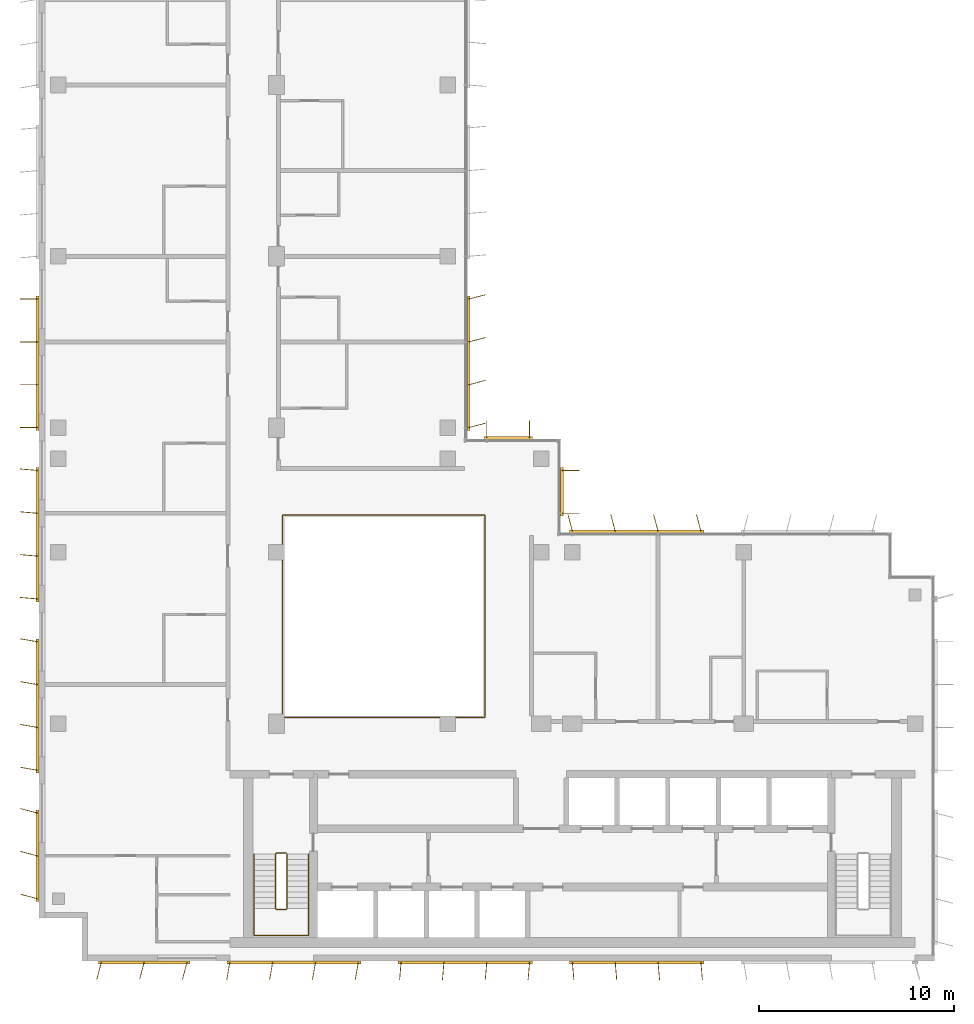
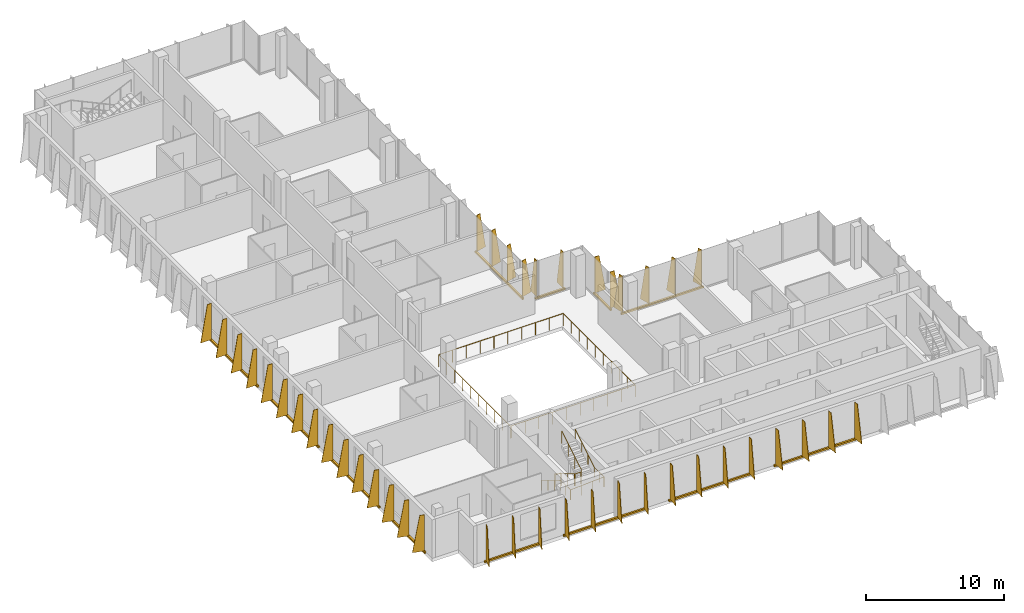
# One storey, part 13 of 15: 12 shading devices, 3 railings.
"""IFC4 building model written with IfcOpenShell, lengths in metres."""

from ifc_helpers import new_model, si_unit, direction, frame, origin, origin_2d, place, context, subcontext, project, spatial, polyline, rectangle, circle, outline, extrude, source, transform, mapped, material, layer, layer_set, type_object, element, save


model = new_model("IFC4")

# Units and contexts
model_context = context("Model", 3, precision=1e-05, world=origin(), true_north=direction((0.0, 1.0)))
body_context = subcontext(model_context, "Body", "Model", "MODEL_VIEW")
ifc_project = project(units=[si_unit("LENGTHUNIT", "METRE"), si_unit("AREAUNIT", "SQUARE_METRE"), si_unit("VOLUMEUNIT", "CUBIC_METRE"), si_unit("PLANEANGLEUNIT", "RADIAN"), si_unit("MASSUNIT", "GRAM", prefix="KILO")], contexts=[model_context])

# Site, building, storey
site_placement = place(None, origin())
site = spatial("IfcSite", under=ifc_project, at=site_placement, CompositionType="ELEMENT")
building_placement = place(site_placement, origin())
building = spatial("IfcBuilding", under=site, at=building_placement, Name="Kemantara Hotel Tower", CompositionType="ELEMENT")
storey_placement = place(building_placement, frame((0.0, 0.0, 268.5)))
storey = spatial("IfcBuildingStorey", under=building, at=storey_placement, Name="L67", CompositionType="ELEMENT", Elevation=268.5)

# Railings
ifc_material_1 = material(Name="Stainless steel and laminated glass balustrade", Category="steel")
railing_type_1 = type_object("IfcRailingType", Name="ATRIUM GUARD 1100", PredefinedType="GUARDRAIL", material=ifc_material_1)
railing_1_placement = place(storey_placement, frame((12.56005859375, 12.5, 0.0)))
element("IfcRailing", 1, at=railing_1_placement, inside=storey, type_object=railing_type_1, Name="ATRIUM GUARD L67", PredefinedType="GUARDRAIL", context=body_context, shape_type="SweptSolid", body=[
    extrude(circle(Radius=0.02490234375, at=origin_2d()), frame((0.0, 0.0, 1.0751953125), z_axis=(1.0, 0.0, 0.0), x_axis=(0.0, 1.0, 0.0)), (0.0, 0.0, 1.0), 10.33984375),
    extrude(circle(Radius=0.02490234375, at=origin_2d()), frame((10.33984375, 0.0, 1.0751953125), z_axis=(0.0, 1.0, 0.0), x_axis=(-1.0, 0.0, 0.0)), (0.0, 0.0, 1.0), 10.39990234375),
    extrude(circle(Radius=0.02490234375, at=origin_2d()), frame((10.33984375, 10.39990234375, 1.0751953125), z_axis=(-1.0, 0.0, 0.0), x_axis=(0.0, -1.0, 0.0)), (0.0, 0.0, 1.0), 10.39990234375),
    extrude(circle(Radius=0.02490234375, at=origin_2d()), frame((-0.06005859375, 10.39990234375, 1.0751953125), z_axis=(0.0, -1.0, 0.0), x_axis=(1.0, 0.0, 0.0)), (0.0, 0.0, 1.0), 10.39990234375),
    extrude(circle(Radius=0.02001953125, at=origin_2d()), origin(), (0.0, 0.0, 1.0), 1.050048828125),
    extrude(circle(Radius=0.02001953125, at=origin_2d()), frame((1.14892578125, 0.0, 0.0)), (0.0, 0.0, 1.0), 1.050048828125),
    extrude(circle(Radius=0.02001953125, at=origin_2d()), frame((2.2978515625, 0.0, 0.0)), (0.0, 0.0, 1.0), 1.050048828125),
    extrude(circle(Radius=0.02001953125, at=origin_2d()), frame((3.446533203125, 0.0, 0.0)), (0.0, 0.0, 1.0), 1.050048828125),
    extrude(circle(Radius=0.02001953125, at=origin_2d()), frame((4.595458984375, 0.0, 0.0)), (0.0, 0.0, 1.0), 1.050048828125),
    extrude(circle(Radius=0.02001953125, at=origin_2d()), frame((5.744384765625, 0.0, 0.0)), (0.0, 0.0, 1.0), 1.050048828125),
    extrude(circle(Radius=0.02001953125, at=origin_2d()), frame((6.893310546875, 0.0, 0.0)), (0.0, 0.0, 1.0), 1.050048828125),
    extrude(circle(Radius=0.02001953125, at=origin_2d()), frame((8.0419921875, 0.0, 0.0)), (0.0, 0.0, 1.0), 1.050048828125),
    extrude(circle(Radius=0.02001953125, at=origin_2d()), frame((9.19091796875, 0.0, 0.0)), (0.0, 0.0, 1.0), 1.050048828125),
    extrude(circle(Radius=0.02001953125, at=origin_2d()), frame((10.33984375, 0.0, 0.0)), (0.0, 0.0, 1.0), 1.050048828125),
    extrude(circle(Radius=0.02001953125, at=origin_2d()), frame((10.33984375, 1.155517578125, 0.0)), (0.0, 0.0, 1.0), 1.050048828125),
    extrude(circle(Radius=0.02001953125, at=origin_2d()), frame((10.33984375, 2.31103515625, 0.0)), (0.0, 0.0, 1.0), 1.050048828125),
    extrude(circle(Radius=0.02001953125, at=origin_2d()), frame((10.33984375, 3.466552734375, 0.0)), (0.0, 0.0, 1.0), 1.050048828125),
    extrude(circle(Radius=0.02001953125, at=origin_2d()), frame((10.33984375, 4.6220703125, 0.0)), (0.0, 0.0, 1.0), 1.050048828125),
    extrude(circle(Radius=0.02001953125, at=origin_2d()), frame((10.33984375, 5.77783203125, 0.0)), (0.0, 0.0, 1.0), 1.050048828125),
    extrude(circle(Radius=0.02001953125, at=origin_2d()), frame((10.33984375, 6.933349609375, 0.0)), (0.0, 0.0, 1.0), 1.050048828125),
    extrude(circle(Radius=0.02001953125, at=origin_2d()), frame((10.33984375, 8.0888671875, 0.0)), (0.0, 0.0, 1.0), 1.050048828125),
    extrude(circle(Radius=0.02001953125, at=origin_2d()), frame((10.33984375, 9.244384765625, 0.0)), (0.0, 0.0, 1.0), 1.050048828125),
    extrude(circle(Radius=0.02001953125, at=origin_2d()), frame((10.33984375, 10.39990234375, 0.0)), (0.0, 0.0, 1.0), 1.050048828125),
    extrude(circle(Radius=0.02001953125, at=origin_2d()), frame((9.184326171875, 10.39990234375, 0.0)), (0.0, 0.0, 1.0), 1.050048828125),
    extrude(circle(Radius=0.02001953125, at=origin_2d()), frame((8.02880859375, 10.39990234375, 0.0)), (0.0, 0.0, 1.0), 1.050048828125),
    extrude(circle(Radius=0.02001953125, at=origin_2d()), frame((6.873291015625, 10.39990234375, 0.0)), (0.0, 0.0, 1.0), 1.050048828125),
    extrude(circle(Radius=0.02001953125, at=origin_2d()), frame((5.7177734375, 10.39990234375, 0.0)), (0.0, 0.0, 1.0), 1.050048828125),
    extrude(circle(Radius=0.02001953125, at=origin_2d()), frame((4.56201171875, 10.39990234375, 0.0)), (0.0, 0.0, 1.0), 1.050048828125),
    extrude(circle(Radius=0.02001953125, at=origin_2d()), frame((3.406494140625, 10.39990234375, 0.0)), (0.0, 0.0, 1.0), 1.050048828125),
    extrude(circle(Radius=0.02001953125, at=origin_2d()), frame((2.2509765625, 10.39990234375, 0.0)), (0.0, 0.0, 1.0), 1.050048828125),
    extrude(circle(Radius=0.02001953125, at=origin_2d()), frame((1.095458984375, 10.39990234375, 0.0)), (0.0, 0.0, 1.0), 1.050048828125),
    extrude(circle(Radius=0.02001953125, at=origin_2d()), frame((-0.06005859375, 10.39990234375, 0.0)), (0.0, 0.0, 1.0), 1.050048828125),
    extrude(circle(Radius=0.02001953125, at=origin_2d()), frame((-0.06005859375, 9.244384765625, 0.0)), (0.0, 0.0, 1.0), 1.050048828125),
    extrude(circle(Radius=0.02001953125, at=origin_2d()), frame((-0.06005859375, 8.0888671875, 0.0)), (0.0, 0.0, 1.0), 1.050048828125),
    extrude(circle(Radius=0.02001953125, at=origin_2d()), frame((-0.06005859375, 6.933349609375, 0.0)), (0.0, 0.0, 1.0), 1.050048828125),
    extrude(circle(Radius=0.02001953125, at=origin_2d()), frame((-0.06005859375, 5.77783203125, 0.0)), (0.0, 0.0, 1.0), 1.050048828125),
    extrude(circle(Radius=0.02001953125, at=origin_2d()), frame((-0.06005859375, 4.6220703125, 0.0)), (0.0, 0.0, 1.0), 1.050048828125),
    extrude(circle(Radius=0.02001953125, at=origin_2d()), frame((-0.06005859375, 3.466552734375, 0.0)), (0.0, 0.0, 1.0), 1.050048828125),
    extrude(circle(Radius=0.02001953125, at=origin_2d()), frame((-0.06005859375, 2.31103515625, 0.0)), (0.0, 0.0, 1.0), 1.050048828125),
    extrude(circle(Radius=0.02001953125, at=origin_2d()), frame((-0.06005859375, 1.155517578125, 0.0)), (0.0, 0.0, 1.0), 1.050048828125),
    extrude(circle(Radius=0.02001953125, at=origin_2d()), frame((-0.06005859375, 0.0, 0.0)), (0.0, 0.0, 1.0), 1.050048828125),
])
ifc_material_2 = material(Name="Stainless steel balustrade", Category="steel")
railing_type_2 = type_object("IfcRailingType", Name="Stair guard 1100 mm", PredefinedType="GUARDRAIL", material=ifc_material_2)
railing_2_placement = place(storey_placement, frame((12.75, 5.5, 3.699951171875)))
element("IfcRailing", 2, at=railing_2_placement, inside=storey, type_object=railing_type_2, Name="L67 ST1 stair guard 1", PredefinedType="GUARDRAIL", context=body_context, shape_type="SweptSolid", body=[
    extrude(circle(Radius=0.02392578125, at=origin_2d()), frame((0.0, 0.0, 1.076171875), z_axis=(0.0, -0.857242210791, -0.514913383045), x_axis=(1.0, 0.0, 0.0)), (0.0, 0.0, 1.0), 3.266357421875),
    extrude(circle(Radius=0.02392578125, at=origin_2d()), frame((0.0, -2.800048828125, -0.60595703125), z_axis=(-0.274582412415, -0.274582412415, -0.921525364591), x_axis=(0.707106781187, -0.707106781187, 0.0)), (0.0, 0.0, 1.0), 0.182373046875),
    extrude(circle(Radius=0.02392578125, at=origin_2d()), frame((-0.050048828125, -2.85009765625, -0.77392578125), z_axis=(-1.0, 0.0, 0.0), x_axis=(0.0, -1.0, 0.0)), (0.0, 0.0, 1.0), 0.5),
    extrude(circle(Radius=0.02392578125, at=origin_2d()), frame((-0.550048828125, -2.85009765625, -0.77392578125), z_axis=(-0.707106781187, 0.707106781187, 0.0), x_axis=(-0.707106781187, -0.707106781187, 0.0)), (0.0, 0.0, 1.0), 0.07080078125),
    extrude(circle(Radius=0.02392578125, at=origin_2d()), frame((-0.60009765625, -2.800048828125, -0.77392578125), z_axis=(0.0, 0.857242210791, -0.514913383045), x_axis=(-1.0, 0.0, 0.0)), (0.0, 0.0, 1.0), 3.266357421875),
    extrude(circle(Radius=0.02392578125, at=origin_2d()), frame((-0.60009765625, 0.0, -2.45556640625), z_axis=(0.274243871929, 0.274243871929, -0.92172696468), x_axis=(-0.707106781187, 0.707106781187, 0.0)), (0.0, 0.0, 1.0), 0.1826171875),
    extrude(circle(Radius=0.02392578125, at=origin_2d()), frame((-0.550048828125, 0.050048828125, -2.6240234375), z_axis=(1.0, 0.0, 0.0), x_axis=(0.0, 1.0, 0.0)), (0.0, 0.0, 1.0), 0.5),
    extrude(circle(Radius=0.02099609375, at=origin_2d()), origin(), (0.0, 0.0, 1.0), 1.052001953125),
    extrude(circle(Radius=0.02099609375, at=origin_2d()), frame((0.0, -0.933349609375, -0.560546875)), (0.0, 0.0, 1.0), 1.052001953125),
    extrude(circle(Radius=0.02099609375, at=origin_2d()), frame((0.0, -1.86669921875, -1.121337890625)), (0.0, 0.0, 1.0), 1.052001953125),
    extrude(circle(Radius=0.02099609375, at=origin_2d()), frame((0.0, -2.800048828125, -1.681884765625)), (0.0, 0.0, 1.0), 1.052001953125),
    extrude(circle(Radius=0.02099609375, at=origin_2d()), frame((-0.050048828125, -2.85009765625, -1.849853515625)), (0.0, 0.0, 1.0), 1.052001953125),
    extrude(circle(Radius=0.02099609375, at=origin_2d()), frame((-0.550048828125, -2.85009765625, -1.849853515625)), (0.0, 0.0, 1.0), 1.052001953125),
    extrude(circle(Radius=0.02099609375, at=origin_2d()), frame((-0.60009765625, -2.800048828125, -1.849853515625)), (0.0, 0.0, 1.0), 1.052001953125),
    extrude(circle(Radius=0.02099609375, at=origin_2d()), frame((-0.60009765625, -1.86669921875, -2.410400390625)), (0.0, 0.0, 1.0), 1.052001953125),
    extrude(circle(Radius=0.02099609375, at=origin_2d()), frame((-0.60009765625, -0.933349609375, -2.97119140625)), (0.0, 0.0, 1.0), 1.052001953125),
    extrude(circle(Radius=0.02099609375, at=origin_2d()), frame((-0.60009765625, 0.0, -3.53173828125)), (0.0, 0.0, 1.0), 1.052001953125),
    extrude(circle(Radius=0.02099609375, at=origin_2d()), frame((-0.550048828125, 0.050048828125, -3.699951171875)), (0.0, 0.0, 1.0), 1.052001953125),
    extrude(circle(Radius=0.02099609375, at=origin_2d()), frame((-0.050048828125, 0.050048828125, -3.699951171875)), (0.0, 0.0, 1.0), 1.052001953125),
])
railing_type_3 = type_object("IfcRailingType", Name="Stair handrail 900 mm", PredefinedType="HANDRAIL", material=ifc_material_2)
railing_3_placement = place(storey_placement, frame((11.050048828125, 5.5, 0.168212890625)))
element("IfcRailing", 3, at=railing_3_placement, inside=storey, type_object=railing_type_3, Name="L67 ST1 stair handrail 1", PredefinedType="HANDRAIL", context=body_context, shape_type="SweptSolid", body=[
    extrude(circle(Radius=0.02392578125, at=origin_2d()), frame((0.0, 0.0, 0.8759765625), z_axis=(0.0, -0.857242210791, 0.514913383045), x_axis=(1.0, 0.0, 0.0)), (0.0, 0.0, 1.0), 3.266357421875),
    extrude(circle(Radius=0.02392578125, at=origin_2d()), frame((0.0, -2.800048828125, 2.5576171875), z_axis=(0.0, -1.0, 0.0), x_axis=(1.0, 0.0, 0.0)), (0.0, 0.0, 1.0), 1.3798828125),
    extrude(circle(Radius=0.02392578125, at=origin_2d()), frame((0.0, -4.179931640625, 2.5576171875), z_axis=(0.998205573864, 0.0, 0.059880149518), x_axis=(0.0, 1.0, 0.0)), (0.0, 0.0, 1.0), 2.80517578125),
    extrude(circle(Radius=0.02392578125, at=origin_2d()), frame((2.800048828125, -4.179931640625, 2.7255859375), z_axis=(0.0, 1.0, 0.0), x_axis=(-1.0, 0.0, 0.0)), (0.0, 0.0, 1.0), 1.3798828125),
    extrude(circle(Radius=0.02392578125, at=origin_2d()), frame((2.800048828125, -2.800048828125, 2.7255859375), z_axis=(0.0, 0.857242210791, 0.514913383045), x_axis=(-1.0, 0.0, 0.0)), (0.0, 0.0, 1.0), 3.266357421875),
    extrude(circle(Radius=0.02099609375, at=origin_2d()), origin(), (0.0, 0.0, 1.0), 0.851806640625),
    extrude(circle(Radius=0.02099609375, at=origin_2d()), frame((0.0, -0.933349609375, 0.560546875)), (0.0, 0.0, 1.0), 0.851806640625),
    extrude(circle(Radius=0.02099609375, at=origin_2d()), frame((0.0, -1.86669921875, 1.121337890625)), (0.0, 0.0, 1.0), 0.851806640625),
    extrude(circle(Radius=0.02099609375, at=origin_2d()), frame((0.0, -2.800048828125, 1.681884765625)), (0.0, 0.0, 1.0), 0.851806640625),
    extrude(circle(Radius=0.02099609375, at=origin_2d()), frame((0.0, -3.489990234375, 1.681884765625)), (0.0, 0.0, 1.0), 0.851806640625),
    extrude(circle(Radius=0.02099609375, at=origin_2d()), frame((0.0, -4.179931640625, 1.681884765625)), (0.0, 0.0, 1.0), 0.851806640625),
    extrude(circle(Radius=0.02099609375, at=origin_2d()), frame((0.933349609375, -4.179931640625, 1.73779296875)), (0.0, 0.0, 1.0), 0.851806640625),
    extrude(circle(Radius=0.02099609375, at=origin_2d()), frame((1.86669921875, -4.179931640625, 1.7939453125)), (0.0, 0.0, 1.0), 0.851806640625),
    extrude(circle(Radius=0.02099609375, at=origin_2d()), frame((2.800048828125, -4.179931640625, 1.849853515625)), (0.0, 0.0, 1.0), 0.851806640625),
    extrude(circle(Radius=0.02099609375, at=origin_2d()), frame((2.800048828125, -3.489990234375, 1.849853515625)), (0.0, 0.0, 1.0), 0.851806640625),
    extrude(circle(Radius=0.02099609375, at=origin_2d()), frame((2.800048828125, -2.800048828125, 1.849853515625)), (0.0, 0.0, 1.0), 0.851806640625),
    extrude(circle(Radius=0.02099609375, at=origin_2d()), frame((2.800048828125, -1.86669921875, 2.410400390625)), (0.0, 0.0, 1.0), 0.851806640625),
    extrude(circle(Radius=0.02099609375, at=origin_2d()), frame((2.800048828125, -0.933349609375, 2.97119140625)), (0.0, 0.0, 1.0), 0.851806640625),
    extrude(circle(Radius=0.02099609375, at=origin_2d()), frame((2.800048828125, 0.0, 3.53173828125)), (0.0, 0.0, 1.0), 0.851806640625),
])

# Shading devices
ifc_material_3 = material(Name="Perforated aluminium plate 4 mm bronze anodised", Category="aluminium")
ifc_layer_1 = layer(ifc_material_3, 0.0400390625)
ifc_layer_set_1 = layer_set([ifc_layer_1], Name="Perforated aluminium plate 4 mm bronze anodised")
shading_device_type_1 = type_object("IfcShadingDeviceType", Name="SCREEN FIN CASSETTE, 3 BLADES AT -15.0 DEG, 3200 HIGH", PredefinedType="USERDEFINED", material=ifc_layer_set_1)
shared_shape_1 = source(origin(), body_context, "Body", "SweptSolid", [
    extrude(rectangle(XDim=4.699951171875, YDim=0.14990234375, at=origin_2d()), frame((2.199951171875, -0.074951171875, -0.14990234375), z_axis=(0.0, 0.0, 1.0), x_axis=(1.0, 0.0, 0.0)), (0.0, 0.0, 1.0), 0.14990234375),
    extrude(outline(polyline([(0.0, 0.0), (0.89990234375, 0.0), (0.35009765625, 3.199951171875), (0.0, 3.199951171875), (0.0, 0.0)])), frame((0.019287109375, -0.080078125, 0.0), z_axis=(-0.966437683387, 0.256901156343, 0.0), x_axis=(-0.256901156343, -0.966437683387, 0.0)), (0.0, 0.0, 1.0), 0.039794921875),
    extrude(outline(polyline([(0.0, 0.0), (0.89990234375, 0.0), (0.35009765625, 3.199951171875), (0.0, 3.199951171875), (0.0, 0.0)])), frame((2.21923828125, -0.080078125, 0.0), z_axis=(-0.966437683387, 0.256901156343, 0.0), x_axis=(-0.256901156343, -0.966437683387, 0.0)), (0.0, 0.0, 1.0), 0.039794921875),
    extrude(outline(polyline([(0.0, 0.0), (0.89990234375, 0.0), (0.35009765625, 3.199951171875), (0.0, 3.199951171875), (0.0, 0.0)])), frame((4.41943359375, -0.080078125, 0.0), z_axis=(-0.966837822169, 0.255391122837, 0.0), x_axis=(-0.255391122837, -0.966837822169, 0.0)), (0.0, 0.0, 1.0), 0.0400390625),
])
for number, where, z_axis, x_axis, name in (
    (4, (0.0, 7.60009765625, 0.10009765625), (0.0, 0.0, 1.0), (0.0, -1.0, 0.0), "SCREEN FIN CASSETTE L67 T4-R05-7"),
    (5, (3.199951171875, 0.0, 0.10009765625), (0.0, 0.0, 1.0), (1.0, 0.0, 0.0), "SCREEN FIN CASSETTE L67 T4-R08-1"),
):
    element("IfcShadingDevice", number, at=place(storey_placement, frame(where, z_axis=z_axis, x_axis=x_axis)), inside=storey, type_object=shading_device_type_1, Name=name, ObjectType="SCREEN FIN", PredefinedType="USERDEFINED", context=body_context, shape_type="MappedRepresentation", body=[
        mapped(shared_shape_1, transform((0.0, 0.0, 0.0))),
    ])
ifc_layer_2 = layer(ifc_material_3, 0.0400390625)
ifc_layer_set_2 = layer_set([ifc_layer_2], Name="Perforated aluminium plate 4 mm bronze anodised")
shading_device_type_2 = type_object("IfcShadingDeviceType", Name="SCREEN FIN CASSETTE, 4 BLADES AT -10.0 DEG, 3200 HIGH", PredefinedType="USERDEFINED", material=ifc_layer_set_2)
shared_shape_2 = source(origin(), body_context, "Body", "SweptSolid", [
    extrude(rectangle(XDim=6.89990234375, YDim=0.14990234375, at=origin_2d()), frame((3.300048828125, -0.074951171875, -0.14990234375), z_axis=(0.0, 0.0, 1.0), x_axis=(1.0, 0.0, 0.0)), (0.0, 0.0, 1.0), 0.14990234375),
    extrude(outline(polyline([(0.0, 0.0), (0.89990234375, 0.0), (0.35009765625, 3.199951171875), (0.0, 3.199951171875), (0.0, 0.0)])), frame((0.019775390625, -0.078369140625, 0.0), z_axis=(-0.985389793052, 0.170314285219, 0.0), x_axis=(-0.170314285219, -0.985389793052, 0.0)), (0.0, 0.0, 1.0), 0.0400390625),
    extrude(outline(polyline([(0.0, 0.0), (0.89990234375, 0.0), (0.35009765625, 3.199951171875), (0.0, 3.199951171875), (0.0, 0.0)])), frame((2.2197265625, -0.078369140625, 0.0), z_axis=(-0.98521175482, 0.171341174751, 0.0), x_axis=(-0.171341174751, -0.98521175482, 0.0)), (0.0, 0.0, 1.0), 0.039794921875),
    extrude(outline(polyline([(0.0, 0.0), (0.89990234375, 0.0), (0.35009765625, 3.199951171875), (0.0, 3.199951171875), (0.0, 0.0)])), frame((4.419677734375, -0.078369140625, 0.0), z_axis=(-0.98521175482, 0.171341174751, 0.0), x_axis=(-0.171341174751, -0.98521175482, 0.0)), (0.0, 0.0, 1.0), 0.039794921875),
    extrude(outline(polyline([(0.0, 0.0), (0.89990234375, 0.0), (0.35009765625, 3.199951171875), (0.0, 3.199951171875), (0.0, 0.0)])), frame((6.61962890625, -0.078369140625, 0.0), z_axis=(-0.98521175482, 0.171341174751, 0.0), x_axis=(-0.171341174751, -0.98521175482, 0.0)), (0.0, 0.0, 1.0), 0.039794921875),
])
for number, where, z_axis, x_axis, name in (
    (6, (0.0, 16.39990234375, 0.10009765625), (0.0, 0.0, 1.0), (0.0, -1.0, 0.0), "SCREEN FIN CASSETTE L67 T4-R05-6"),
    (7, (9.800048828125, 0.0, 0.10009765625), (0.0, 0.0, 1.0), (1.0, 0.0, 0.0), "SCREEN FIN CASSETTE L67 T4-R08-2"),
):
    element("IfcShadingDevice", number, at=place(storey_placement, frame(where, z_axis=z_axis, x_axis=x_axis)), inside=storey, type_object=shading_device_type_2, Name=name, ObjectType="SCREEN FIN", PredefinedType="USERDEFINED", context=body_context, shape_type="MappedRepresentation", body=[
        mapped(shared_shape_2, transform((0.0, 0.0, 0.0))),
    ])
ifc_layer_3 = layer(ifc_material_3, 0.0400390625)
ifc_layer_set_3 = layer_set([ifc_layer_3], Name="Perforated aluminium plate 4 mm bronze anodised")
shading_device_type_3 = type_object("IfcShadingDeviceType", Name="SCREEN FIN CASSETTE, 4 BLADES AT -5.0 DEG, 3200 HIGH", PredefinedType="USERDEFINED", material=ifc_layer_set_3)
shared_shape_3 = source(origin(), body_context, "Body", "SweptSolid", [
    extrude(rectangle(XDim=6.89990234375, YDim=0.14990234375, at=origin_2d()), frame((3.300048828125, -0.074951171875, -0.14990234375), z_axis=(0.0, 0.0, 1.0), x_axis=(1.0, 0.0, 0.0)), (0.0, 0.0, 1.0), 0.14990234375),
    extrude(outline(polyline([(0.0, 0.0), (0.89990234375, 0.0), (0.35009765625, 3.199951171875), (0.0, 3.199951171875), (0.0, 0.0)])), frame((0.02001953125, -0.07666015625, 0.0), z_axis=(-0.996376129781, 0.085056498884, 0.0), x_axis=(-0.085056498884, -0.996376129781, 0.0)), (0.0, 0.0, 1.0), 0.040283203125),
    extrude(outline(polyline([(0.0, 0.0), (0.89990234375, 0.0), (0.35009765625, 3.199951171875), (0.0, 3.199951171875), (0.0, 0.0)])), frame((2.219970703125, -0.07666015625, 0.0), z_axis=(-0.996331773833, 0.085574508182, 0.0), x_axis=(-0.085574508182, -0.996331773833, 0.0)), (0.0, 0.0, 1.0), 0.0400390625),
    extrude(outline(polyline([(0.0, 0.0), (0.89990234375, 0.0), (0.35009765625, 3.199951171875), (0.0, 3.199951171875), (0.0, 0.0)])), frame((4.419921875, -0.07666015625, 0.0), z_axis=(-0.996331773833, 0.085574508182, 0.0), x_axis=(-0.085574508182, -0.996331773833, 0.0)), (0.0, 0.0, 1.0), 0.0400390625),
    extrude(outline(polyline([(0.0, 0.0), (0.89990234375, 0.0), (0.35009765625, 3.199951171875), (0.0, 3.199951171875), (0.0, 0.0)])), frame((6.619873046875, -0.07666015625, 0.0), z_axis=(-0.996331773833, 0.085574508182, 0.0), x_axis=(-0.085574508182, -0.996331773833, 0.0)), (0.0, 0.0, 1.0), 0.0400390625),
])
for number, where, z_axis, x_axis, name in (
    (8, (0.0, 25.199951171875, 0.10009765625), (0.0, 0.0, 1.0), (0.0, -1.0, 0.0), "SCREEN FIN CASSETTE L67 T4-R05-5"),
    (9, (18.60009765625, 0.0, 0.10009765625), (0.0, 0.0, 1.0), (1.0, 0.0, 0.0), "SCREEN FIN CASSETTE L67 T4-R08-3"),
):
    element("IfcShadingDevice", number, at=place(storey_placement, frame(where, z_axis=z_axis, x_axis=x_axis)), inside=storey, type_object=shading_device_type_3, Name=name, ObjectType="SCREEN FIN", PredefinedType="USERDEFINED", context=body_context, shape_type="MappedRepresentation", body=[
        mapped(shared_shape_3, transform((0.0, 0.0, 0.0))),
    ])
ifc_layer_4 = layer(ifc_material_3, 0.0400390625)
ifc_layer_set_4 = layer_set([ifc_layer_4], Name="Perforated aluminium plate 4 mm bronze anodised")
shading_device_type_4 = type_object("IfcShadingDeviceType", Name="SCREEN FIN CASSETTE, 4 BLADES AT +0.0 DEG, 3200 HIGH", PredefinedType="USERDEFINED", material=ifc_layer_set_4)
shared_shape_4 = source(origin(), body_context, "Body", "SweptSolid", [
    extrude(rectangle(XDim=6.89990234375, YDim=0.14990234375, at=origin_2d()), frame((3.300048828125, -0.074951171875, -0.14990234375), z_axis=(0.0, 0.0, 1.0), x_axis=(1.0, 0.0, 0.0)), (0.0, 0.0, 1.0), 0.14990234375),
    extrude(outline(polyline([(0.0, 0.0), (0.89990234375, 0.0), (0.35009765625, 3.199951171875), (0.0, 3.199951171875), (0.0, 0.0)])), frame((0.02001953125, -0.074951171875, 0.0), z_axis=(-1.0, 0.0, 0.0), x_axis=(0.0, -1.0, 0.0)), (0.0, 0.0, 1.0), 0.0400390625),
    extrude(outline(polyline([(0.0, 0.0), (0.89990234375, 0.0), (0.35009765625, 3.199951171875), (0.0, 3.199951171875), (0.0, 0.0)])), frame((2.219970703125, -0.074951171875, 0.0), z_axis=(-1.0, 0.0, 0.0), x_axis=(0.0, -1.0, 0.0)), (0.0, 0.0, 1.0), 0.0400390625),
    extrude(outline(polyline([(0.0, 0.0), (0.89990234375, 0.0), (0.35009765625, 3.199951171875), (0.0, 3.199951171875), (0.0, 0.0)])), frame((4.419921875, -0.074951171875, 0.0), z_axis=(-1.0, 0.0, 0.0), x_axis=(0.0, -1.0, 0.0)), (0.0, 0.0, 1.0), 0.0400390625),
    extrude(outline(polyline([(0.0, 0.0), (0.89990234375, 0.0), (0.35009765625, 3.199951171875), (0.0, 3.199951171875), (0.0, 0.0)])), frame((6.6201171875, -0.074951171875, 0.0), z_axis=(-1.0, 0.0, 0.0), x_axis=(0.0, -1.0, 0.0)), (0.0, 0.0, 1.0), 0.0400390625),
])
shading_device_1_placement = place(storey_placement, frame((0.0, 34.0, 0.10009765625), z_axis=(0.0, 0.0, 1.0), x_axis=(0.0, -1.0, 0.0)))
element("IfcShadingDevice", 10, at=shading_device_1_placement, inside=storey, type_object=shading_device_type_4, Name="SCREEN FIN CASSETTE L67 T4-R05-4", ObjectType="SCREEN FIN", PredefinedType="USERDEFINED", context=body_context, shape_type="MappedRepresentation", body=[
    mapped(shared_shape_4, transform((0.0, 0.0, 0.0))),
])
ifc_layer_5 = layer(ifc_material_3, 0.0400390625)
ifc_layer_set_5 = layer_set([ifc_layer_5], Name="Perforated aluminium plate 4 mm bronze anodised")
shading_device_type_5 = type_object("IfcShadingDeviceType", Name="SCREEN FIN CASSETTE, 4 BLADES AT +5.0 DEG, 3200 HIGH", PredefinedType="USERDEFINED", material=ifc_layer_set_5)
shared_shape_5 = source(origin(), body_context, "Body", "SweptSolid", [
    extrude(rectangle(XDim=6.89990234375, YDim=0.14990234375, at=origin_2d()), frame((3.300048828125, -0.074951171875, -0.14990234375), z_axis=(0.0, 0.0, 1.0), x_axis=(1.0, 0.0, 0.0)), (0.0, 0.0, 1.0), 0.14990234375),
    extrude(outline(polyline([(0.0, 0.0), (0.89990234375, 0.0), (0.35009765625, 3.199951171875), (0.0, 3.199951171875), (0.0, 0.0)])), frame((0.02001953125, -0.0732421875, 0.0), z_axis=(-0.996376129781, -0.085056498884, 0.0), x_axis=(0.085056498884, -0.996376129781, 0.0)), (0.0, 0.0, 1.0), 0.040283203125),
    extrude(outline(polyline([(0.0, 0.0), (0.89990234375, 0.0), (0.35009765625, 3.199951171875), (0.0, 3.199951171875), (0.0, 0.0)])), frame((2.219970703125, -0.0732421875, 0.0), z_axis=(-0.996331773833, -0.085574508182, 0.0), x_axis=(0.085574508182, -0.996331773833, 0.0)), (0.0, 0.0, 1.0), 0.0400390625),
    extrude(outline(polyline([(0.0, 0.0), (0.89990234375, 0.0), (0.35009765625, 3.199951171875), (0.0, 3.199951171875), (0.0, 0.0)])), frame((4.419921875, -0.0732421875, 0.0), z_axis=(-0.996331773833, -0.085574508182, 0.0), x_axis=(0.085574508182, -0.996331773833, 0.0)), (0.0, 0.0, 1.0), 0.0400390625),
    extrude(outline(polyline([(0.0, 0.0), (0.89990234375, 0.0), (0.35009765625, 3.199951171875), (0.0, 3.199951171875), (0.0, 0.0)])), frame((6.619873046875, -0.0732421875, 0.0), z_axis=(-0.996331773833, -0.085574508182, 0.0), x_axis=(0.085574508182, -0.996331773833, 0.0)), (0.0, 0.0, 1.0), 0.0400390625),
])
shading_device_2_placement = place(storey_placement, frame((27.39990234375, 0.0, 0.10009765625), z_axis=(0.0, 0.0, 1.0), x_axis=(1.0, 0.0, 0.0)))
element("IfcShadingDevice", 11, at=shading_device_2_placement, inside=storey, type_object=shading_device_type_5, Name="SCREEN FIN CASSETTE L67 T4-R08-4", ObjectType="SCREEN FIN", PredefinedType="USERDEFINED", context=body_context, shape_type="MappedRepresentation", body=[
    mapped(shared_shape_5, transform((0.0, 0.0, 0.0))),
])
ifc_layer_6 = layer(ifc_material_3, 0.0400390625)
ifc_layer_set_6 = layer_set([ifc_layer_6], Name="Perforated aluminium plate 4 mm bronze anodised")
shading_device_type_6 = type_object("IfcShadingDeviceType", Name="SCREEN FIN CASSETTE, 4 BLADES AT +15.0 DEG, 3200 HIGH", PredefinedType="USERDEFINED", material=ifc_layer_set_6)
shared_shape_6 = source(origin(), body_context, "Body", "SweptSolid", [
    extrude(rectangle(XDim=6.89990234375, YDim=0.14990234375, at=origin_2d()), frame((3.300048828125, -0.074951171875, -0.14990234375), z_axis=(0.0, 0.0, 1.0), x_axis=(1.0, 0.0, 0.0)), (0.0, 0.0, 1.0), 0.14990234375),
    extrude(outline(polyline([(0.0, 0.0), (0.89990234375, 0.0), (0.35009765625, 3.199951171875), (0.0, 3.199951171875), (0.0, 0.0)])), frame((0.019287109375, -0.06982421875, 0.0), z_axis=(-0.966437683387, -0.256901156343, 0.0), x_axis=(0.256901156343, -0.966437683387, 0.0)), (0.0, 0.0, 1.0), 0.039794921875),
    extrude(outline(polyline([(0.0, 0.0), (0.89990234375, 0.0), (0.35009765625, 3.199951171875), (0.0, 3.199951171875), (0.0, 0.0)])), frame((2.21923828125, -0.06982421875, 0.0), z_axis=(-0.966437683387, -0.256901156343, 0.0), x_axis=(0.256901156343, -0.966437683387, 0.0)), (0.0, 0.0, 1.0), 0.039794921875),
    extrude(outline(polyline([(0.0, 0.0), (0.89990234375, 0.0), (0.35009765625, 3.199951171875), (0.0, 3.199951171875), (0.0, 0.0)])), frame((4.41943359375, -0.06982421875, 0.0), z_axis=(-0.966837822169, -0.255391122837, 0.0), x_axis=(0.255391122837, -0.966837822169, 0.0)), (0.0, 0.0, 1.0), 0.0400390625),
    extrude(outline(polyline([(0.0, 0.0), (0.89990234375, 0.0), (0.35009765625, 3.199951171875), (0.0, 3.199951171875), (0.0, 0.0)])), frame((6.619384765625, -0.06982421875, 0.0), z_axis=(-0.966837822169, -0.255391122837, 0.0), x_axis=(0.255391122837, -0.966837822169, 0.0)), (0.0, 0.0, 1.0), 0.0400390625),
])
for number, where, z_axis, x_axis, name in (
    (12, (34.0, 22.0, 0.10009765625), (0.0, 0.0, 1.0), (-1.0, 0.0, 0.0), "SCREEN FIN CASSETTE L67 T4-R12-2"),
    (13, (22.0, 27.39990234375, 0.10009765625), (0.0, 0.0, 1.0), (0.0, 1.0, 0.0), "SCREEN FIN CASSETTE L67 T4-R15-1"),
):
    element("IfcShadingDevice", number, at=place(storey_placement, frame(where, z_axis=z_axis, x_axis=x_axis)), inside=storey, type_object=shading_device_type_6, Name=name, ObjectType="SCREEN FIN", PredefinedType="USERDEFINED", context=body_context, shape_type="MappedRepresentation", body=[
        mapped(shared_shape_6, transform((0.0, 0.0, 0.0))),
    ])
ifc_layer_7 = layer(ifc_material_3, 0.0400390625)
ifc_layer_set_7 = layer_set([ifc_layer_7], Name="Perforated aluminium plate 4 mm bronze anodised")
shading_device_type_7 = type_object("IfcShadingDeviceType", Name="SCREEN FIN CASSETTE, 2 BLADES AT +0.0 DEG, 3200 HIGH", PredefinedType="USERDEFINED", material=ifc_layer_set_7)
shared_shape_7 = source(origin(), body_context, "Body", "SweptSolid", [
    extrude(rectangle(XDim=2.5, YDim=0.14990234375, at=origin_2d()), frame((1.10009765625, -0.074951171875, -0.14990234375), z_axis=(0.0, 0.0, 1.0), x_axis=(1.0, 0.0, 0.0)), (0.0, 0.0, 1.0), 0.14990234375),
    extrude(outline(polyline([(0.0, 0.0), (0.89990234375, 0.0), (0.35009765625, 3.199951171875), (0.0, 3.199951171875), (0.0, 0.0)])), frame((0.02001953125, -0.074951171875, 0.0), z_axis=(-1.0, 0.0, 0.0), x_axis=(0.0, -1.0, 0.0)), (0.0, 0.0, 1.0), 0.0400390625),
    extrude(outline(polyline([(0.0, 0.0), (0.89990234375, 0.0), (0.35009765625, 3.199951171875), (0.0, 3.199951171875), (0.0, 0.0)])), frame((2.219970703125, -0.074951171875, 0.0), z_axis=(-1.0, 0.0, 0.0), x_axis=(0.0, -1.0, 0.0)), (0.0, 0.0, 1.0), 0.0400390625),
])
for number, where, z_axis, x_axis, name in (
    (14, (26.800048828125, 23.0, 0.10009765625), (0.0, 0.0, 1.0), (0.0, 1.0, 0.0), "SCREEN FIN CASSETTE L67 T4-R13-1"),
    (15, (25.199951171875, 26.800048828125, 0.10009765625), (0.0, 0.0, 1.0), (-1.0, 0.0, 0.0), "SCREEN FIN CASSETTE L67 T4-R14-1"),
):
    element("IfcShadingDevice", number, at=place(storey_placement, frame(where, z_axis=z_axis, x_axis=x_axis)), inside=storey, type_object=shading_device_type_7, Name=name, ObjectType="SCREEN FIN", PredefinedType="USERDEFINED", context=body_context, shape_type="MappedRepresentation", body=[
        mapped(shared_shape_7, transform((0.0, 0.0, 0.0))),
    ])

save(model, "model.ifc")
